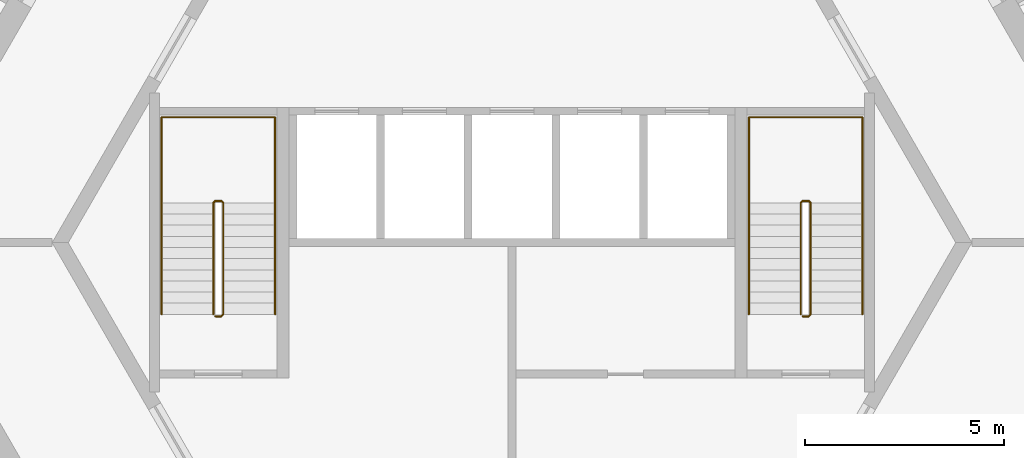
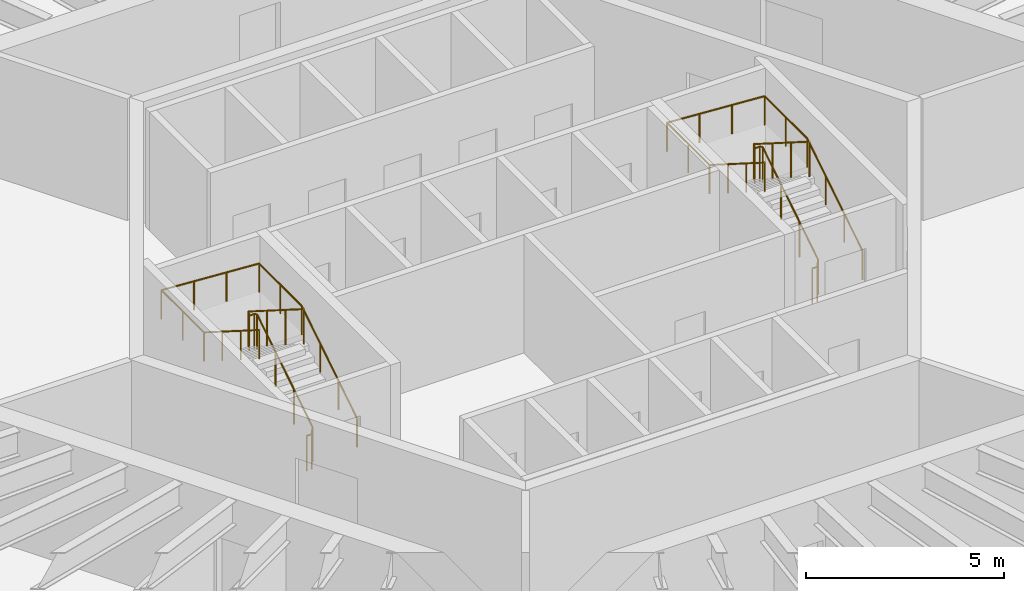
# One storey, part 11 of 11: 4 railings.
"""IFC4 building model written with IfcOpenShell, lengths in metres."""

from ifc_helpers import new_model, si_unit, direction, frame, origin, origin_2d, place, context, subcontext, project, spatial, circle, extrude, material, type_object, element, save


model = new_model("IFC4")

# Units and contexts
model_context = context("Model", 3, precision=1e-05, world=origin(), true_north=direction((0.0, 1.0)))
body_context = subcontext(model_context, "Body", "Model", "MODEL_VIEW")
ifc_project = project(units=[si_unit("LENGTHUNIT", "METRE"), si_unit("AREAUNIT", "SQUARE_METRE"), si_unit("VOLUMEUNIT", "CUBIC_METRE"), si_unit("PLANEANGLEUNIT", "RADIAN"), si_unit("MASSUNIT", "GRAM", prefix="KILO")], contexts=[model_context])

# Site, building, storey
site_placement = place(None, origin())
site = spatial("IfcSite", under=ifc_project, at=site_placement, CompositionType="ELEMENT")
building_placement = place(site_placement, origin())
building = spatial("IfcBuilding", under=site, at=building_placement, Name="Tarnside Tower", CompositionType="ELEMENT")
storey_placement = place(building_placement, frame((0.0, 0.0, 45.300048828125)))
storey = spatial("IfcBuildingStorey", under=building, at=storey_placement, Name="L08", CompositionType="ELEMENT", Elevation=45.300048828125)

# Railings
ifc_material = material(Name="Stainless steel", Category="steel")
railing_type_1 = type_object("IfcRailingType", Name="Stair guard 1100", PredefinedType="GUARDRAIL", material=ifc_material)
railing_1_placement = place(storey_placement, frame((7.300048828125, -1.85009765625, 0.0)))
element("IfcRailing", 1, at=railing_1_placement, inside=storey, type_object=railing_type_1, Name="L08 ST1 stair guard 1", PredefinedType="GUARDRAIL", context=body_context, shape_type="SweptSolid", body=[
    extrude(circle(Radius=0.02392578125, at=origin_2d()), frame((0.0, 0.0, 1.076171875), z_axis=(1.0, 0.0, 0.0), x_axis=(0.0, 1.0, 0.0)), (0.0, 0.0, 1.0), 0.14990234375),
    extrude(circle(Radius=0.02392578125, at=origin_2d()), frame((0.14990234375, 0.0, 1.076171875), z_axis=(0.262233686654, 0.262233686654, 0.928691007369), x_axis=(-0.707106781187, 0.707106781187, 0.0)), (0.0, 0.0, 1.0), 0.19091796875),
    extrude(circle(Radius=0.02392578125, at=origin_2d()), frame((0.199951171875, 0.050048828125, 1.25341796875), z_axis=(0.0, 0.844908973607, 0.534910110503), x_axis=(-1.0, 0.0, 0.0)), (0.0, 0.0, 1.0), 3.31396484375),
    extrude(circle(Radius=0.02392578125, at=origin_2d()), frame((0.199951171875, 2.85009765625, 3.02587890625), z_axis=(-0.707106781187, 0.707106781187, 0.0), x_axis=(-0.707106781187, -0.707106781187, 0.0)), (0.0, 0.0, 1.0), 0.07080078125),
    extrude(circle(Radius=0.02392578125, at=origin_2d()), frame((0.14990234375, 2.900146484375, 3.02587890625), z_axis=(-1.0, 0.0, 0.0), x_axis=(0.0, -1.0, 0.0)), (0.0, 0.0, 1.0), 0.14990234375),
    extrude(circle(Radius=0.02392578125, at=origin_2d()), frame((0.0, 2.900146484375, 3.02587890625), z_axis=(-0.262233686654, -0.262233686654, 0.928691007369), x_axis=(0.707106781187, -0.707106781187, 0.0)), (0.0, 0.0, 1.0), 0.19091796875),
    extrude(circle(Radius=0.02392578125, at=origin_2d()), frame((-0.050048828125, 2.85009765625, 3.203125), z_axis=(0.0, -0.844908973607, 0.534910110503), x_axis=(1.0, 0.0, 0.0)), (0.0, 0.0, 1.0), 3.31396484375),
    extrude(circle(Radius=0.02099609375, at=origin_2d()), origin(), (0.0, 0.0, 1.0), 1.052001953125),
    extrude(circle(Radius=0.02099609375, at=origin_2d()), frame((0.14990234375, 0.0, 0.0)), (0.0, 0.0, 1.0), 1.052001953125),
    extrude(circle(Radius=0.02099609375, at=origin_2d()), frame((0.199951171875, 0.050048828125, 0.17724609375)), (0.0, 0.0, 1.0), 1.052001953125),
    extrude(circle(Radius=0.02099609375, at=origin_2d()), frame((0.199951171875, 0.9833984375, 0.76806640625)), (0.0, 0.0, 1.0), 1.052001953125),
    extrude(circle(Radius=0.02099609375, at=origin_2d()), frame((0.199951171875, 1.916748046875, 1.359130859375)), (0.0, 0.0, 1.0), 1.052001953125),
    extrude(circle(Radius=0.02099609375, at=origin_2d()), frame((0.199951171875, 2.85009765625, 1.949951171875)), (0.0, 0.0, 1.0), 1.052001953125),
    extrude(circle(Radius=0.02099609375, at=origin_2d()), frame((0.14990234375, 2.900146484375, 1.949951171875)), (0.0, 0.0, 1.0), 1.052001953125),
    extrude(circle(Radius=0.02099609375, at=origin_2d()), frame((0.0, 2.900146484375, 1.949951171875)), (0.0, 0.0, 1.0), 1.052001953125),
    extrude(circle(Radius=0.02099609375, at=origin_2d()), frame((-0.050048828125, 2.85009765625, 2.127197265625)), (0.0, 0.0, 1.0), 1.052001953125),
    extrude(circle(Radius=0.02099609375, at=origin_2d()), frame((-0.050048828125, 1.916748046875, 2.718017578125)), (0.0, 0.0, 1.0), 1.052001953125),
    extrude(circle(Radius=0.02099609375, at=origin_2d()), frame((-0.050048828125, 0.9833984375, 3.30908203125)), (0.0, 0.0, 1.0), 1.052001953125),
    extrude(circle(Radius=0.02099609375, at=origin_2d()), frame((-0.050048828125, 0.050048828125, 3.89990234375)), (0.0, 0.0, 1.0), 1.052001953125),
])
railing_2_placement = place(storey_placement, frame((-7.449951171875, -1.85009765625, 0.0)))
element("IfcRailing", 2, at=railing_2_placement, inside=storey, type_object=railing_type_1, Name="L08 ST2 stair guard 1", PredefinedType="GUARDRAIL", context=body_context, shape_type="SweptSolid", body=[
    extrude(circle(Radius=0.02392578125, at=origin_2d()), frame((0.0, 0.0, 1.076171875), z_axis=(1.0, 0.0, 0.0), x_axis=(0.0, 1.0, 0.0)), (0.0, 0.0, 1.0), 0.14990234375),
    extrude(circle(Radius=0.02392578125, at=origin_2d()), frame((0.14990234375, 0.0, 1.076171875), z_axis=(0.262233686654, 0.262233686654, 0.928691007369), x_axis=(-0.707106781187, 0.707106781187, 0.0)), (0.0, 0.0, 1.0), 0.19091796875),
    extrude(circle(Radius=0.02392578125, at=origin_2d()), frame((0.199951171875, 0.050048828125, 1.25341796875), z_axis=(0.0, 0.844908973607, 0.534910110503), x_axis=(-1.0, 0.0, 0.0)), (0.0, 0.0, 1.0), 3.31396484375),
    extrude(circle(Radius=0.02392578125, at=origin_2d()), frame((0.199951171875, 2.85009765625, 3.02587890625), z_axis=(-0.707106781187, 0.707106781187, 0.0), x_axis=(-0.707106781187, -0.707106781187, 0.0)), (0.0, 0.0, 1.0), 0.07080078125),
    extrude(circle(Radius=0.02392578125, at=origin_2d()), frame((0.14990234375, 2.900146484375, 3.02587890625), z_axis=(-1.0, 0.0, 0.0), x_axis=(0.0, -1.0, 0.0)), (0.0, 0.0, 1.0), 0.14990234375),
    extrude(circle(Radius=0.02392578125, at=origin_2d()), frame((0.0, 2.900146484375, 3.02587890625), z_axis=(-0.262233686654, -0.262233686654, 0.928691007369), x_axis=(0.707106781187, -0.707106781187, 0.0)), (0.0, 0.0, 1.0), 0.19091796875),
    extrude(circle(Radius=0.02392578125, at=origin_2d()), frame((-0.050048828125, 2.85009765625, 3.203125), z_axis=(0.0, -0.844908973607, 0.534910110503), x_axis=(1.0, 0.0, 0.0)), (0.0, 0.0, 1.0), 3.31396484375),
    extrude(circle(Radius=0.02099609375, at=origin_2d()), origin(), (0.0, 0.0, 1.0), 1.052001953125),
    extrude(circle(Radius=0.02099609375, at=origin_2d()), frame((0.14990234375, 0.0, 0.0)), (0.0, 0.0, 1.0), 1.052001953125),
    extrude(circle(Radius=0.02099609375, at=origin_2d()), frame((0.199951171875, 0.050048828125, 0.17724609375)), (0.0, 0.0, 1.0), 1.052001953125),
    extrude(circle(Radius=0.02099609375, at=origin_2d()), frame((0.199951171875, 0.9833984375, 0.76806640625)), (0.0, 0.0, 1.0), 1.052001953125),
    extrude(circle(Radius=0.02099609375, at=origin_2d()), frame((0.199951171875, 1.916748046875, 1.359130859375)), (0.0, 0.0, 1.0), 1.052001953125),
    extrude(circle(Radius=0.02099609375, at=origin_2d()), frame((0.199951171875, 2.85009765625, 1.949951171875)), (0.0, 0.0, 1.0), 1.052001953125),
    extrude(circle(Radius=0.02099609375, at=origin_2d()), frame((0.14990234375, 2.900146484375, 1.949951171875)), (0.0, 0.0, 1.0), 1.052001953125),
    extrude(circle(Radius=0.02099609375, at=origin_2d()), frame((0.0, 2.900146484375, 1.949951171875)), (0.0, 0.0, 1.0), 1.052001953125),
    extrude(circle(Radius=0.02099609375, at=origin_2d()), frame((-0.050048828125, 2.85009765625, 2.127197265625)), (0.0, 0.0, 1.0), 1.052001953125),
    extrude(circle(Radius=0.02099609375, at=origin_2d()), frame((-0.050048828125, 1.916748046875, 2.718017578125)), (0.0, 0.0, 1.0), 1.052001953125),
    extrude(circle(Radius=0.02099609375, at=origin_2d()), frame((-0.050048828125, 0.9833984375, 3.30908203125)), (0.0, 0.0, 1.0), 1.052001953125),
    extrude(circle(Radius=0.02099609375, at=origin_2d()), frame((-0.050048828125, 0.050048828125, 3.89990234375)), (0.0, 0.0, 1.0), 1.052001953125),
])
railing_type_2 = type_object("IfcRailingType", Name="Stair handrail 900", PredefinedType="HANDRAIL", material=ifc_material)
railing_3_placement = place(storey_placement, frame((8.800048828125, -1.800048828125, 0.17724609375)))
element("IfcRailing", 3, at=railing_3_placement, inside=storey, type_object=railing_type_2, Name="L08 ST1 stair handrail 1", PredefinedType="HANDRAIL", context=body_context, shape_type="SweptSolid", body=[
    extrude(circle(Radius=0.02392578125, at=origin_2d()), frame((0.0, 0.0, 0.8857421875), z_axis=(0.0, 0.844908973607, 0.534910110503), x_axis=(-1.0, 0.0, 0.0)), (0.0, 0.0, 1.0), 3.31396484375),
    extrude(circle(Radius=0.02392578125, at=origin_2d()), frame((0.0, 2.800048828125, 2.65869140625), z_axis=(0.0, 1.0, 0.0), x_axis=(-1.0, 0.0, 0.0)), (0.0, 0.0, 1.0), 2.14990234375),
    extrude(circle(Radius=0.02392578125, at=origin_2d()), frame((0.0, 4.949951171875, 2.65869140625), z_axis=(-0.998071825391, 0.0, 0.06206956872), x_axis=(0.0, -1.0, 0.0)), (0.0, 0.0, 1.0), 2.855712890625),
    extrude(circle(Radius=0.02392578125, at=origin_2d()), frame((-2.85009765625, 4.949951171875, 2.8359375), z_axis=(0.0, -1.0, 0.0), x_axis=(1.0, 0.0, 0.0)), (0.0, 0.0, 1.0), 2.14990234375),
    extrude(circle(Radius=0.02392578125, at=origin_2d()), frame((-2.85009765625, 2.800048828125, 2.8359375), z_axis=(0.0, -0.844908973607, 0.534910110503), x_axis=(1.0, 0.0, 0.0)), (0.0, 0.0, 1.0), 3.31396484375),
    extrude(circle(Radius=0.02099609375, at=origin_2d()), origin(), (0.0, 0.0, 1.0), 0.86181640625),
    extrude(circle(Radius=0.02099609375, at=origin_2d()), frame((0.0, 0.933349609375, 0.5908203125)), (0.0, 0.0, 1.0), 0.86181640625),
    extrude(circle(Radius=0.02099609375, at=origin_2d()), frame((0.0, 1.86669921875, 1.181884765625)), (0.0, 0.0, 1.0), 0.86181640625),
    extrude(circle(Radius=0.02099609375, at=origin_2d()), frame((0.0, 2.800048828125, 1.772705078125)), (0.0, 0.0, 1.0), 0.86181640625),
    extrude(circle(Radius=0.02099609375, at=origin_2d()), frame((0.0, 3.875, 1.772705078125)), (0.0, 0.0, 1.0), 0.86181640625),
    extrude(circle(Radius=0.02099609375, at=origin_2d()), frame((0.0, 4.949951171875, 1.772705078125)), (0.0, 0.0, 1.0), 0.86181640625),
    extrude(circle(Radius=0.02099609375, at=origin_2d()), frame((-0.949951171875, 4.949951171875, 1.831787109375)), (0.0, 0.0, 1.0), 0.86181640625),
    extrude(circle(Radius=0.02099609375, at=origin_2d()), frame((-1.900146484375, 4.949951171875, 1.890869140625)), (0.0, 0.0, 1.0), 0.86181640625),
    extrude(circle(Radius=0.02099609375, at=origin_2d()), frame((-2.85009765625, 4.949951171875, 1.949951171875)), (0.0, 0.0, 1.0), 0.86181640625),
    extrude(circle(Radius=0.02099609375, at=origin_2d()), frame((-2.85009765625, 3.875, 1.949951171875)), (0.0, 0.0, 1.0), 0.86181640625),
    extrude(circle(Radius=0.02099609375, at=origin_2d()), frame((-2.85009765625, 2.800048828125, 1.949951171875)), (0.0, 0.0, 1.0), 0.86181640625),
    extrude(circle(Radius=0.02099609375, at=origin_2d()), frame((-2.85009765625, 1.86669921875, 2.540771484375)), (0.0, 0.0, 1.0), 0.86181640625),
    extrude(circle(Radius=0.02099609375, at=origin_2d()), frame((-2.85009765625, 0.933349609375, 3.1318359375)), (0.0, 0.0, 1.0), 0.86181640625),
    extrude(circle(Radius=0.02099609375, at=origin_2d()), frame((-2.85009765625, 0.0, 3.72265625)), (0.0, 0.0, 1.0), 0.86181640625),
])
railing_4_placement = place(storey_placement, frame((-5.949951171875, -1.800048828125, 0.17724609375)))
element("IfcRailing", 4, at=railing_4_placement, inside=storey, type_object=railing_type_2, Name="L08 ST2 stair handrail 1", PredefinedType="HANDRAIL", context=body_context, shape_type="SweptSolid", body=[
    extrude(circle(Radius=0.02392578125, at=origin_2d()), frame((0.0, 0.0, 0.8857421875), z_axis=(0.0, 0.844908973607, 0.534910110503), x_axis=(-1.0, 0.0, 0.0)), (0.0, 0.0, 1.0), 3.31396484375),
    extrude(circle(Radius=0.02392578125, at=origin_2d()), frame((0.0, 2.800048828125, 2.65869140625), z_axis=(0.0, 1.0, 0.0), x_axis=(-1.0, 0.0, 0.0)), (0.0, 0.0, 1.0), 2.14990234375),
    extrude(circle(Radius=0.02392578125, at=origin_2d()), frame((0.0, 4.949951171875, 2.65869140625), z_axis=(-0.998071825391, 0.0, 0.06206956872), x_axis=(0.0, -1.0, 0.0)), (0.0, 0.0, 1.0), 2.855712890625),
    extrude(circle(Radius=0.02392578125, at=origin_2d()), frame((-2.85009765625, 4.949951171875, 2.8359375), z_axis=(0.0, -1.0, 0.0), x_axis=(1.0, 0.0, 0.0)), (0.0, 0.0, 1.0), 2.14990234375),
    extrude(circle(Radius=0.02392578125, at=origin_2d()), frame((-2.85009765625, 2.800048828125, 2.8359375), z_axis=(0.0, -0.844908973607, 0.534910110503), x_axis=(1.0, 0.0, 0.0)), (0.0, 0.0, 1.0), 3.31396484375),
    extrude(circle(Radius=0.02099609375, at=origin_2d()), origin(), (0.0, 0.0, 1.0), 0.86181640625),
    extrude(circle(Radius=0.02099609375, at=origin_2d()), frame((0.0, 0.933349609375, 0.5908203125)), (0.0, 0.0, 1.0), 0.86181640625),
    extrude(circle(Radius=0.02099609375, at=origin_2d()), frame((0.0, 1.86669921875, 1.181884765625)), (0.0, 0.0, 1.0), 0.86181640625),
    extrude(circle(Radius=0.02099609375, at=origin_2d()), frame((0.0, 2.800048828125, 1.772705078125)), (0.0, 0.0, 1.0), 0.86181640625),
    extrude(circle(Radius=0.02099609375, at=origin_2d()), frame((0.0, 3.875, 1.772705078125)), (0.0, 0.0, 1.0), 0.86181640625),
    extrude(circle(Radius=0.02099609375, at=origin_2d()), frame((0.0, 4.949951171875, 1.772705078125)), (0.0, 0.0, 1.0), 0.86181640625),
    extrude(circle(Radius=0.02099609375, at=origin_2d()), frame((-0.949951171875, 4.949951171875, 1.831787109375)), (0.0, 0.0, 1.0), 0.86181640625),
    extrude(circle(Radius=0.02099609375, at=origin_2d()), frame((-1.900146484375, 4.949951171875, 1.890869140625)), (0.0, 0.0, 1.0), 0.86181640625),
    extrude(circle(Radius=0.02099609375, at=origin_2d()), frame((-2.85009765625, 4.949951171875, 1.949951171875)), (0.0, 0.0, 1.0), 0.86181640625),
    extrude(circle(Radius=0.02099609375, at=origin_2d()), frame((-2.85009765625, 3.875, 1.949951171875)), (0.0, 0.0, 1.0), 0.86181640625),
    extrude(circle(Radius=0.02099609375, at=origin_2d()), frame((-2.85009765625, 2.800048828125, 1.949951171875)), (0.0, 0.0, 1.0), 0.86181640625),
    extrude(circle(Radius=0.02099609375, at=origin_2d()), frame((-2.85009765625, 1.86669921875, 2.540771484375)), (0.0, 0.0, 1.0), 0.86181640625),
    extrude(circle(Radius=0.02099609375, at=origin_2d()), frame((-2.85009765625, 0.933349609375, 3.1318359375)), (0.0, 0.0, 1.0), 0.86181640625),
    extrude(circle(Radius=0.02099609375, at=origin_2d()), frame((-2.85009765625, 0.0, 3.72265625)), (0.0, 0.0, 1.0), 0.86181640625),
])

save(model, "model.ifc")
